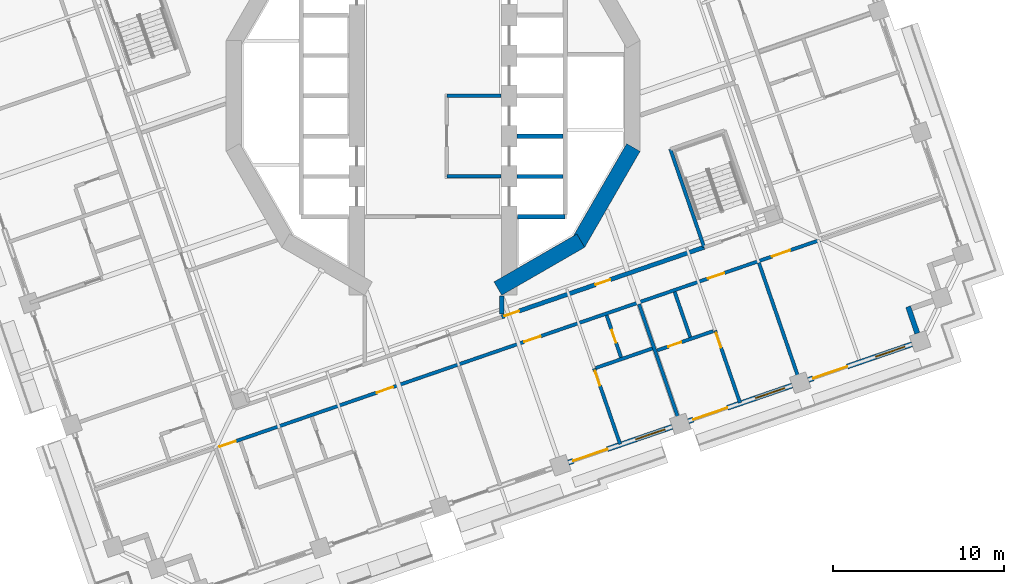
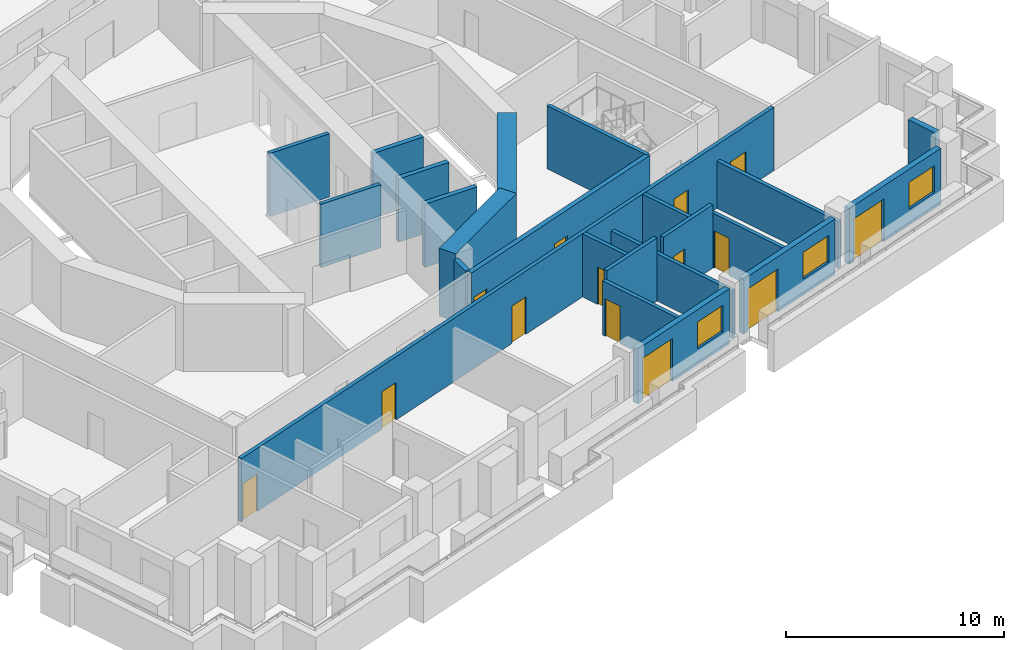
# One storey, part 6 of 18: 23 walls, 14 doors, 3 windows, 17 openings.
"""IFC4 building model written with IfcOpenShell, lengths in metres."""

from ifc_helpers import new_model, si_unit, direction, frame, frame_2d, origin, place, context, subcontext, project, spatial, rectangle, extrude, material, layer, layer_set, type_object, element, fill, save


model = new_model("IFC4")

# Units and contexts
model_context = context("Model", 3, precision=1e-05, world=origin(), true_north=direction((0.0, 1.0)))
body_context = subcontext(model_context, "Body", "Model", "MODEL_VIEW")
ifc_project = project(units=[si_unit("LENGTHUNIT", "METRE"), si_unit("AREAUNIT", "SQUARE_METRE"), si_unit("VOLUMEUNIT", "CUBIC_METRE"), si_unit("PLANEANGLEUNIT", "RADIAN"), si_unit("MASSUNIT", "GRAM", prefix="KILO")], contexts=[model_context])

# Site, building, storey
site_placement = place(None, origin())
site = spatial("IfcSite", under=ifc_project, at=site_placement, CompositionType="ELEMENT")
building_placement = place(site_placement, origin())
building = spatial("IfcBuilding", under=site, at=building_placement, Name="Cantera Rosa Tower", CompositionType="ELEMENT")
storey_placement = place(building_placement, frame((0.0, 0.0, 134.5)))
storey = spatial("IfcBuildingStorey", under=building, at=storey_placement, Name="L28", CompositionType="ELEMENT", Elevation=134.5)

# Wall, openings, doors
ifc_material_1 = material(Name="Gypsum board partition")
ifc_layer_1 = layer(ifc_material_1, 0.199951171875)
ifc_layer_set_1 = layer_set([ifc_layer_1], Name="CORRIDOR WALL 200 H3550")
wall_type_1 = type_object("IfcWallType", Name="CORRIDOR WALL 200 H3550", PredefinedType="PARTITIONING", material=ifc_layer_set_1)
wall_1_placement = place(storey_placement, frame((-12.58642578125, -20.515380859375, 0.0), z_axis=(0.0, 0.0, 1.0), x_axis=(0.945519939336, 0.325564193852, 0.0)))
wall_1 = element("IfcWall", 1, at=wall_1_placement, inside=storey, type_object=wall_type_1, Name="CORRIDOR WALL L28-029", PredefinedType="PARTITIONING", context=body_context, shape_type="SweptSolid", body=[
    extrude(rectangle(XDim=37.27978515625, YDim=0.199951171875, at=frame_2d((18.639892578125, 0.0))), origin(), (0.0, 0.0, 1.0), 3.550048828125),
])
opening_1_placement = place(wall_1_placement, frame((9.830078125, 0.0, 0.0)))
opening_1 = element("IfcOpeningElement", 2, at=opening_1_placement, cuts=wall_1, Name="Opening L28-039", PredefinedType="OPENING", context=body_context, shape_type="SweptSolid", body=[
    extrude(rectangle(XDim=1.0, YDim=2.10009765625, at=frame_2d((0.5, 1.050048828125))), frame((0.0, 0.10986328125, 0.0), z_axis=(0.0, -1.0, 0.0), x_axis=(1.0, 0.0, 0.0)), (0.0, 0.0, 1.0), 0.219970703125),
])
opening_2_placement = place(wall_1_placement, frame((18.929931640625, 0.0, 0.0)))
opening_2 = element("IfcOpeningElement", 3, at=opening_2_placement, cuts=wall_1, Name="Opening L28-042", PredefinedType="OPENING", context=body_context, shape_type="SweptSolid", body=[
    extrude(rectangle(XDim=1.0, YDim=2.10009765625, at=frame_2d((0.5, 1.050048828125))), frame((0.0, 0.10986328125, 0.0), z_axis=(0.0, -1.0, 0.0), x_axis=(1.0, 0.0, 0.0)), (0.0, 0.0, 1.0), 0.219970703125),
])
opening_3_placement = place(wall_1_placement, frame((30.280029296875, 0.0, 0.0)))
opening_3 = element("IfcOpeningElement", 4, at=opening_3_placement, cuts=wall_1, Name="Opening L28-045", PredefinedType="OPENING", context=body_context, shape_type="SweptSolid", body=[
    extrude(rectangle(XDim=1.0, YDim=2.10009765625, at=frame_2d((0.5, 1.050048828125))), frame((0.0, 0.10986328125, 0.0), z_axis=(0.0, -1.0, 0.0), x_axis=(1.0, 0.0, 0.0)), (0.0, 0.0, 1.0), 0.219970703125),
])
opening_4_placement = place(wall_1_placement, frame((0.1298828125, 0.0, 0.0)))
opening_4 = element("IfcOpeningElement", 5, at=opening_4_placement, cuts=wall_1, Name="Opening L28-048", PredefinedType="OPENING", context=body_context, shape_type="SweptSolid", body=[
    extrude(rectangle(XDim=1.0, YDim=2.10009765625, at=frame_2d((0.5, 1.050048828125))), frame((0.0, 0.10986328125, 0.0), z_axis=(0.0, -1.0, 0.0), x_axis=(1.0, 0.0, 0.0)), (0.0, 0.0, 1.0), 0.219970703125),
])
opening_5_placement = place(wall_1_placement, frame((34.22998046875, 0.0, 0.0)))
opening_5 = element("IfcOpeningElement", 6, at=opening_5_placement, cuts=wall_1, Name="Opening L28-051", PredefinedType="OPENING", context=body_context, shape_type="SweptSolid", body=[
    extrude(rectangle(XDim=1.10009765625, YDim=2.10009765625, at=frame_2d((0.550048828125, 1.050048828125))), frame((0.0, 0.10986328125, 0.0), z_axis=(0.0, -1.0, 0.0), x_axis=(1.0, 0.0, 0.0)), (0.0, 0.0, 1.0), 0.219970703125),
])
ifc_material_2 = material(Name="Timber door leaf", Category="wood")
door_type_1 = type_object("IfcDoorType", Name="ENTRANCE DOOR 1000x2100", OperationType="NOTDEFINED", PredefinedType="DOOR", material=ifc_material_2)
door_1_placement = place(opening_1_placement, origin())
door_1 = element("IfcDoor", 7, at=door_1_placement, inside=storey, type_object=door_type_1, Name="DOOR L28-039", OperationType="NOTDEFINED", OverallHeight=2.10009765625, OverallWidth=1.0, PredefinedType="DOOR", context=body_context, shape_type="SweptSolid", body=[
    extrude(rectangle(XDim=1.0, YDim=2.10009765625, at=frame_2d((0.5, 1.050048828125))), frame((0.0, 0.02490234375, 0.0), z_axis=(0.0, -1.0, 0.0), x_axis=(1.0, 0.0, 0.0)), (0.0, 0.0, 1.0), 0.050048828125),
])
fill(opening_1, door_1)
door_2_placement = place(opening_2_placement, origin())
door_2 = element("IfcDoor", 8, at=door_2_placement, inside=storey, type_object=door_type_1, Name="DOOR L28-042", OperationType="NOTDEFINED", OverallHeight=2.10009765625, OverallWidth=1.0, PredefinedType="DOOR", context=body_context, shape_type="SweptSolid", body=[
    extrude(rectangle(XDim=1.0, YDim=2.10009765625, at=frame_2d((0.5, 1.050048828125))), frame((0.0, 0.02490234375, 0.0), z_axis=(0.0, -1.0, 0.0), x_axis=(1.0, 0.0, 0.0)), (0.0, 0.0, 1.0), 0.050048828125),
])
fill(opening_2, door_2)
door_3_placement = place(opening_3_placement, origin())
door_3 = element("IfcDoor", 9, at=door_3_placement, inside=storey, type_object=door_type_1, Name="DOOR L28-045", OperationType="NOTDEFINED", OverallHeight=2.10009765625, OverallWidth=1.0, PredefinedType="DOOR", context=body_context, shape_type="SweptSolid", body=[
    extrude(rectangle(XDim=1.0, YDim=2.10009765625, at=frame_2d((0.5, 1.050048828125))), frame((0.0, 0.02490234375, 0.0), z_axis=(0.0, -1.0, 0.0), x_axis=(1.0, 0.0, 0.0)), (0.0, 0.0, 1.0), 0.050048828125),
])
fill(opening_3, door_3)
door_4_placement = place(opening_4_placement, origin())
door_4 = element("IfcDoor", 10, at=door_4_placement, inside=storey, type_object=door_type_1, Name="DOOR L28-048", OperationType="NOTDEFINED", OverallHeight=2.10009765625, OverallWidth=1.0, PredefinedType="DOOR", context=body_context, shape_type="SweptSolid", body=[
    extrude(rectangle(XDim=1.0, YDim=2.10009765625, at=frame_2d((0.5, 1.050048828125))), frame((0.0, 0.02490234375, 0.0), z_axis=(0.0, -1.0, 0.0), x_axis=(1.0, 0.0, 0.0)), (0.0, 0.0, 1.0), 0.050048828125),
])
fill(opening_4, door_4)
ifc_material_3 = material(Name="Timber door leaf", Category="wood")
door_type_2 = type_object("IfcDoorType", Name="ROOM DOOR 1100x2100", OperationType="NOTDEFINED", PredefinedType="DOOR", material=ifc_material_3)
door_5_placement = place(opening_5_placement, origin())
door_5 = element("IfcDoor", 11, at=door_5_placement, inside=storey, type_object=door_type_2, Name="DOOR L28-051", OperationType="NOTDEFINED", OverallHeight=2.10009765625, OverallWidth=1.10009765625, PredefinedType="DOOR", context=body_context, shape_type="SweptSolid", body=[
    extrude(rectangle(XDim=1.10009765625, YDim=2.10009765625, at=frame_2d((0.550048828125, 1.050048828125))), frame((0.0, 0.02490234375, 0.0), z_axis=(0.0, -1.0, 0.0), x_axis=(1.0, 0.0, 0.0)), (0.0, 0.0, 1.0), 0.050048828125),
])
fill(opening_5, door_5)

# Wall
ifc_material_4 = material(Name="Hollow clay masonry with cantera stone cladding", Category="masonry")
ifc_layer_2 = layer(ifc_material_4, 0.300048828125)
ifc_layer_set_2 = layer_set([ifc_layer_2], Name="EW-LOGGIA 300")
wall_type_2 = type_object("IfcWallType", Name="EW-LOGGIA 300", PredefinedType="SOLIDWALL", material=ifc_layer_set_2)
wall_2_placement = place(storey_placement, frame((28.250732421875, -13.857421875, 0.0), z_axis=(0.0, 0.0, 1.0), x_axis=(-0.325666906351, 0.945484566827, 0.0)))
element("IfcWall", 12, at=wall_2_placement, inside=storey, type_object=wall_type_2, Name="EN-L28-W29a", PredefinedType="SOLIDWALL", context=body_context, shape_type="SweptSolid", body=[
    extrude(rectangle(XDim=1.64990234375, YDim=0.300048828125, at=frame_2d((0.824951171875, 0.0))), origin(), (0.0, 0.0, 1.0), 3.5),
])

# Wall, openings, window, door
ifc_material_5 = material(Name="Hollow clay masonry with cantera stone cladding", Category="masonry")
ifc_layer_3 = layer(ifc_material_5, 0.300048828125)
ifc_layer_set_3 = layer_set([ifc_layer_3], Name="EW-LOGGIA 300 H3090")
wall_type_3 = type_object("IfcWallType", Name="EW-LOGGIA 300 H3090", PredefinedType="SOLIDWALL", material=ifc_layer_set_3)
wall_3_placement = place(storey_placement, frame((7.895751953125, -21.39501953125, 0.0), z_axis=(0.0, 0.0, 1.0), x_axis=(0.945524496524, 0.325550958337, 0.0)))
wall_3 = element("IfcWall", 13, at=wall_3_placement, inside=storey, type_object=wall_type_3, Name="EN-L28-W26", PredefinedType="SOLIDWALL", context=body_context, shape_type="SweptSolid", body=[
    extrude(rectangle(XDim=6.39990234375, YDim=0.300048828125, at=frame_2d((3.199951171875, 0.0))), origin(), (0.0, 0.0, 1.0), 3.090087890625),
])
opening_6_placement = place(wall_3_placement, frame((0.300048828125, 0.0, 0.0)))
opening_6 = element("IfcOpeningElement", 14, at=opening_6_placement, cuts=wall_3, Name="Opening L28-TD35", PredefinedType="OPENING", context=body_context, shape_type="SweptSolid", body=[
    extrude(rectangle(XDim=2.10009765625, YDim=2.39990234375, at=frame_2d((1.050048828125, 1.199951171875))), frame((0.0, 0.159912109375, 0.0), z_axis=(0.0, -1.0, 0.0), x_axis=(1.0, 0.0, 0.0)), (0.0, 0.0, 1.0), 0.320068359375),
])
opening_7_placement = place(wall_3_placement, frame((4.14990234375, 0.0, 0.89990234375)))
opening_7 = element("IfcOpeningElement", 15, at=opening_7_placement, cuts=wall_3, Name="Opening L28-W36", PredefinedType="OPENING", context=body_context, shape_type="SweptSolid", body=[
    extrude(rectangle(XDim=1.800048828125, YDim=1.5, at=frame_2d((0.89990234375, 0.75))), frame((0.0, 0.159912109375, 0.0), z_axis=(0.0, -1.0, 0.0), x_axis=(1.0, 0.0, 0.0)), (0.0, 0.0, 1.0), 0.320068359375),
])
ifc_material_6 = material(Name="Aluminium frame with clear glass", Category="aluminium")
window_type = type_object("IfcWindowType", Name="Hotel room window 1800x1500", PartitioningType="DOUBLE_PANEL_VERTICAL", PredefinedType="WINDOW", material=ifc_material_6)
window_1_placement = place(opening_7_placement, origin())
window_1 = element("IfcWindow", 16, at=window_1_placement, inside=storey, type_object=window_type, Name="WINDOW L28-W36", OverallHeight=1.5, OverallWidth=1.800048828125, PartitioningType="SINGLE_PANEL", PredefinedType="WINDOW", context=body_context, shape_type="SweptSolid", body=[
    extrude(rectangle(XDim=1.800048828125, YDim=1.5, at=frame_2d((0.89990234375, 0.75))), frame((0.0, 0.030029296875, 0.0), z_axis=(0.0, -1.0, 0.0), x_axis=(1.0, 0.0, 0.0)), (0.0, 0.0, 1.0), 0.06005859375),
])
fill(opening_7, window_1)
ifc_material_7 = material(Name="Aluminium frame with clear glass", Category="aluminium")
door_type_3 = type_object("IfcDoorType", Name="TD-H 2100x2400", OperationType="NOTDEFINED", PredefinedType="DOOR", material=ifc_material_7)
door_6_placement = place(opening_6_placement, origin())
door_6 = element("IfcDoor", 17, at=door_6_placement, inside=storey, type_object=door_type_3, Name="LOGGIA DOOR L28-TD35", OperationType="SLIDING_TO_LEFT", OverallHeight=2.39990234375, OverallWidth=2.10009765625, PredefinedType="DOOR", context=body_context, shape_type="SweptSolid", body=[
    extrude(rectangle(XDim=2.10009765625, YDim=2.39990234375, at=frame_2d((1.050048828125, 1.199951171875))), frame((0.0, 0.02490234375, 0.0), z_axis=(0.0, -1.0, 0.0), x_axis=(1.0, 0.0, 0.0)), (0.0, 0.0, 1.0), 0.050048828125),
])
fill(opening_6, door_6)

wall_4_placement = place(storey_placement, frame((14.892578125, -18.98583984375, 0.0), z_axis=(0.0, 0.0, 1.0), x_axis=(0.945512753621, 0.325585062219, 0.0)))
wall_4 = element("IfcWall", 18, at=wall_4_placement, inside=storey, type_object=wall_type_3, Name="EN-L28-W27", PredefinedType="SOLIDWALL", context=body_context, shape_type="SweptSolid", body=[
    extrude(rectangle(XDim=6.39990234375, YDim=0.300048828125, at=frame_2d((3.199951171875, 0.0))), origin(), (0.0, 0.0, 1.0), 3.090087890625),
])
opening_8_placement = place(wall_4_placement, frame((0.300048828125, 0.0, 0.0)))
opening_8 = element("IfcOpeningElement", 19, at=opening_8_placement, cuts=wall_4, Name="Opening L28-TD37", PredefinedType="OPENING", context=body_context, shape_type="SweptSolid", body=[
    extrude(rectangle(XDim=2.10009765625, YDim=2.39990234375, at=frame_2d((1.050048828125, 1.199951171875))), frame((0.0, 0.159912109375, 0.0), z_axis=(0.0, -1.0, 0.0), x_axis=(1.0, 0.0, 0.0)), (0.0, 0.0, 1.0), 0.320068359375),
])
opening_9_placement = place(wall_4_placement, frame((4.14990234375, 0.0, 0.89990234375)))
opening_9 = element("IfcOpeningElement", 20, at=opening_9_placement, cuts=wall_4, Name="Opening L28-W38", PredefinedType="OPENING", context=body_context, shape_type="SweptSolid", body=[
    extrude(rectangle(XDim=1.800048828125, YDim=1.5, at=frame_2d((0.89990234375, 0.75))), frame((0.0, 0.159912109375, 0.0), z_axis=(0.0, -1.0, 0.0), x_axis=(1.0, 0.0, 0.0)), (0.0, 0.0, 1.0), 0.320068359375),
])
window_2_placement = place(opening_9_placement, origin())
window_2 = element("IfcWindow", 21, at=window_2_placement, inside=storey, type_object=window_type, Name="WINDOW L28-W38", OverallHeight=1.5, OverallWidth=1.800048828125, PartitioningType="SINGLE_PANEL", PredefinedType="WINDOW", context=body_context, shape_type="SweptSolid", body=[
    extrude(rectangle(XDim=1.800048828125, YDim=1.5, at=frame_2d((0.89990234375, 0.75))), frame((0.0, 0.030029296875, 0.0), z_axis=(0.0, -1.0, 0.0), x_axis=(1.0, 0.0, 0.0)), (0.0, 0.0, 1.0), 0.06005859375),
])
fill(opening_9, window_2)
door_7_placement = place(opening_8_placement, origin())
door_7 = element("IfcDoor", 22, at=door_7_placement, inside=storey, type_object=door_type_3, Name="LOGGIA DOOR L28-TD37", OperationType="SLIDING_TO_LEFT", OverallHeight=2.39990234375, OverallWidth=2.10009765625, PredefinedType="DOOR", context=body_context, shape_type="SweptSolid", body=[
    extrude(rectangle(XDim=2.10009765625, YDim=2.39990234375, at=frame_2d((1.050048828125, 1.199951171875))), frame((0.0, 0.02490234375, 0.0), z_axis=(0.0, -1.0, 0.0), x_axis=(1.0, 0.0, 0.0)), (0.0, 0.0, 1.0), 0.050048828125),
])
fill(opening_8, door_7)

ifc_material_8 = material(Name="Hollow clay masonry with cantera stone cladding", Category="masonry")
ifc_layer_4 = layer(ifc_material_8, 0.300048828125)
ifc_layer_set_4 = layer_set([ifc_layer_4], Name="EW-LOGGIA 300 H3140")
wall_type_4 = type_object("IfcWallType", Name="EW-LOGGIA 300 H3140", PredefinedType="SOLIDWALL", material=ifc_layer_set_4)
wall_5_placement = place(storey_placement, frame((21.889404296875, -16.57666015625, 0.0), z_axis=(0.0, 0.0, 1.0), x_axis=(0.945512753621, 0.325585062219, 0.0)))
wall_5 = element("IfcWall", 23, at=wall_5_placement, inside=storey, type_object=wall_type_4, Name="EN-L28-W28", PredefinedType="SOLIDWALL", context=body_context, shape_type="SweptSolid", body=[
    extrude(rectangle(XDim=6.39990234375, YDim=0.300048828125, at=frame_2d((3.199951171875, 0.0))), origin(), (0.0, 0.0, 1.0), 3.139892578125),
])
opening_10_placement = place(wall_5_placement, frame((0.300048828125, 0.0, 0.0)))
opening_10 = element("IfcOpeningElement", 24, at=opening_10_placement, cuts=wall_5, Name="Opening L28-TD39", PredefinedType="OPENING", context=body_context, shape_type="SweptSolid", body=[
    extrude(rectangle(XDim=2.10009765625, YDim=2.39990234375, at=frame_2d((1.050048828125, 1.199951171875))), frame((0.0, 0.159912109375, 0.0), z_axis=(0.0, -1.0, 0.0), x_axis=(1.0, 0.0, 0.0)), (0.0, 0.0, 1.0), 0.320068359375),
])
opening_11_placement = place(wall_5_placement, frame((4.14990234375, 0.0, 0.89990234375)))
opening_11 = element("IfcOpeningElement", 25, at=opening_11_placement, cuts=wall_5, Name="Opening L28-W40", PredefinedType="OPENING", context=body_context, shape_type="SweptSolid", body=[
    extrude(rectangle(XDim=1.800048828125, YDim=1.5, at=frame_2d((0.89990234375, 0.75))), frame((0.0, 0.159912109375, 0.0), z_axis=(0.0, -1.0, 0.0), x_axis=(1.0, 0.0, 0.0)), (0.0, 0.0, 1.0), 0.320068359375),
])
window_3_placement = place(opening_11_placement, origin())
window_3 = element("IfcWindow", 26, at=window_3_placement, inside=storey, type_object=window_type, Name="WINDOW L28-W40", OverallHeight=1.5, OverallWidth=1.800048828125, PartitioningType="SINGLE_PANEL", PredefinedType="WINDOW", context=body_context, shape_type="SweptSolid", body=[
    extrude(rectangle(XDim=1.800048828125, YDim=1.5, at=frame_2d((0.89990234375, 0.75))), frame((0.0, 0.030029296875, 0.0), z_axis=(0.0, -1.0, 0.0), x_axis=(1.0, 0.0, 0.0)), (0.0, 0.0, 1.0), 0.06005859375),
])
fill(opening_11, window_3)
door_8_placement = place(opening_10_placement, origin())
door_8 = element("IfcDoor", 27, at=door_8_placement, inside=storey, type_object=door_type_3, Name="LOGGIA DOOR L28-TD39", OperationType="SLIDING_TO_LEFT", OverallHeight=2.39990234375, OverallWidth=2.10009765625, PredefinedType="DOOR", context=body_context, shape_type="SweptSolid", body=[
    extrude(rectangle(XDim=2.10009765625, YDim=2.39990234375, at=frame_2d((1.050048828125, 1.199951171875))), frame((0.0, 0.02490234375, 0.0), z_axis=(0.0, -1.0, 0.0), x_axis=(1.0, 0.0, 0.0)), (0.0, 0.0, 1.0), 0.050048828125),
])
fill(opening_10, door_8)

# Wall, opening, door
ifc_material_9 = material(Name="Gypsum board partition")
ifc_layer_5 = layer(ifc_material_9, 0.199951171875)
ifc_layer_set_5 = layer_set([ifc_layer_5], Name="PARTITION 200 H3050")
wall_type_5 = type_object("IfcWallType", Name="PARTITION 200 H3050", PredefinedType="PARTITIONING", material=ifc_layer_set_5)
wall_6_placement = place(storey_placement, frame((10.91162109375, -20.324951171875, 0.0), z_axis=(0.0, 0.0, 1.0), x_axis=(-0.325574999189, 0.945516218742, 0.0)))
wall_6 = element("IfcWall", 28, at=wall_6_placement, inside=storey, type_object=wall_type_5, Name="PARTITION L28-081", PredefinedType="PARTITIONING", context=body_context, shape_type="SweptSolid", body=[
    extrude(rectangle(XDim=4.670166015625, YDim=0.199951171875, at=frame_2d((2.3349609375, 0.0))), origin(), (0.0, 0.0, 1.0), 3.050048828125),
])
opening_12_placement = place(wall_6_placement, frame((3.6201171875, 0.0, 0.0)))
opening_12 = element("IfcOpeningElement", 29, at=opening_12_placement, cuts=wall_6, Name="Opening L28-044", PredefinedType="OPENING", context=body_context, shape_type="SweptSolid", body=[
    extrude(rectangle(XDim=0.89990234375, YDim=2.10009765625, at=frame_2d((0.449951171875, 1.050048828125))), frame((0.0, 0.10986328125, 0.0), z_axis=(0.0, -1.0, 0.0), x_axis=(1.0, 0.0, 0.0)), (0.0, 0.0, 1.0), 0.219970703125),
])
ifc_material_10 = material(Name="Timber door leaf", Category="wood")
door_type_4 = type_object("IfcDoorType", Name="ROOM DOOR 900x2100", OperationType="NOTDEFINED", PredefinedType="DOOR", material=ifc_material_10)
door_9_placement = place(opening_12_placement, origin())
door_9 = element("IfcDoor", 30, at=door_9_placement, inside=storey, type_object=door_type_4, Name="DOOR L28-044", OperationType="NOTDEFINED", OverallHeight=2.10009765625, OverallWidth=0.89990234375, PredefinedType="DOOR", context=body_context, shape_type="SweptSolid", body=[
    extrude(rectangle(XDim=0.89990234375, YDim=2.10009765625, at=frame_2d((0.449951171875, 1.050048828125))), frame((0.0, 0.02490234375, 0.0), z_axis=(0.0, -1.0, 0.0), x_axis=(1.0, 0.0, 0.0)), (0.0, 0.0, 1.0), 0.050048828125),
])
fill(opening_12, door_9)

wall_7_placement = place(storey_placement, frame((16.453125, -13.689208984375, 0.0), z_axis=(0.0, 0.0, 1.0), x_axis=(0.325568171973, -0.945518569568, 0.0)))
wall_7 = element("IfcWall", 31, at=wall_7_placement, inside=storey, type_object=wall_type_5, Name="PARTITION L28-097", PredefinedType="PARTITIONING", context=body_context, shape_type="SweptSolid", body=[
    extrude(rectangle(XDim=4.47021484375, YDim=0.199951171875, at=frame_2d((2.235107421875, 0.0))), origin(), (0.0, 0.0, 1.0), 3.050048828125),
])
opening_13_placement = place(wall_7_placement, frame((0.14990234375, 0.0, 0.0)))
opening_13 = element("IfcOpeningElement", 32, at=opening_13_placement, cuts=wall_7, Name="Opening L28-046", PredefinedType="OPENING", context=body_context, shape_type="SweptSolid", body=[
    extrude(rectangle(XDim=0.89990234375, YDim=2.10009765625, at=frame_2d((0.449951171875, 1.050048828125))), frame((0.0, 0.10986328125, 0.0), z_axis=(0.0, -1.0, 0.0), x_axis=(1.0, 0.0, 0.0)), (0.0, 0.0, 1.0), 0.219970703125),
])
door_10_placement = place(opening_13_placement, origin())
door_10 = element("IfcDoor", 33, at=door_10_placement, inside=storey, type_object=door_type_4, Name="DOOR L28-046", OperationType="NOTDEFINED", OverallHeight=2.10009765625, OverallWidth=0.89990234375, PredefinedType="DOOR", context=body_context, shape_type="SweptSolid", body=[
    extrude(rectangle(XDim=0.89990234375, YDim=2.10009765625, at=frame_2d((0.449951171875, 1.050048828125))), frame((0.0, 0.02490234375, 0.0), z_axis=(0.0, -1.0, 0.0), x_axis=(1.0, 0.0, 0.0)), (0.0, 0.0, 1.0), 0.050048828125),
])
fill(opening_13, door_10)

# Wall
ifc_material_11 = material(Name="Gypsum board partition")
ifc_layer_6 = layer(ifc_material_11, 0.199951171875)
ifc_layer_set_6 = layer_set([ifc_layer_6], Name="PARTITION 200 H3550")
wall_type_6 = type_object("IfcWallType", Name="PARTITION 200 H3550", PredefinedType="PARTITIONING", material=ifc_layer_set_6)
wall_8_placement = place(storey_placement, frame((9.48583984375, -15.876708984375, 0.0), z_axis=(0.0, 0.0, 1.0), x_axis=(0.945526322632, 0.325545654572, 0.0)))
element("IfcWall", 34, at=wall_8_placement, inside=storey, type_object=wall_type_6, Name="PARTITION L28-078", PredefinedType="PARTITIONING", context=body_context, shape_type="SweptSolid", body=[
    extrude(rectangle(XDim=3.5, YDim=0.199951171875, at=frame_2d((1.75, 0.0))), origin(), (0.0, 0.0, 1.0), 3.550048828125),
])

# Wall, opening, door
wall_9_placement = place(storey_placement, frame((10.966064453125, -15.26123046875, 0.0), z_axis=(0.0, 0.0, 1.0), x_axis=(-0.325649185186, 0.945490670598, 0.0)))
wall_9 = element("IfcWall", 35, at=wall_9_placement, inside=storey, type_object=wall_type_6, Name="PARTITION L28-082", PredefinedType="PARTITIONING", context=body_context, shape_type="SweptSolid", body=[
    extrude(rectangle(XDim=2.599853515625, YDim=0.199951171875, at=frame_2d((1.2998046875, 0.0))), origin(), (0.0, 0.0, 1.0), 3.550048828125),
])
opening_14_placement = place(wall_9_placement, frame((0.89990234375, 0.0, 0.0)))
opening_14 = element("IfcOpeningElement", 36, at=opening_14_placement, cuts=wall_9, Name="Opening L28-043", PredefinedType="OPENING", context=body_context, shape_type="SweptSolid", body=[
    extrude(rectangle(XDim=0.800048828125, YDim=2.10009765625, at=frame_2d((0.39990234375, 1.050048828125))), frame((0.0, 0.10986328125, 0.0), z_axis=(0.0, -1.0, 0.0), x_axis=(1.0, 0.0, 0.0)), (0.0, 0.0, 1.0), 0.219970703125),
])
ifc_material_12 = material(Name="Timber door leaf", Category="wood")
door_type_5 = type_object("IfcDoorType", Name="BATHROOM DOOR 800x2100", OperationType="NOTDEFINED", PredefinedType="DOOR", material=ifc_material_12)
door_11_placement = place(opening_14_placement, origin())
door_11 = element("IfcDoor", 37, at=door_11_placement, inside=storey, type_object=door_type_5, Name="DOOR L28-043", OperationType="NOTDEFINED", OverallHeight=2.10009765625, OverallWidth=0.800048828125, PredefinedType="DOOR", context=body_context, shape_type="SweptSolid", body=[
    extrude(rectangle(XDim=0.800048828125, YDim=2.10009765625, at=frame_2d((0.39990234375, 1.050048828125))), frame((0.0, 0.02490234375, 0.0), z_axis=(0.0, -1.0, 0.0), x_axis=(1.0, 0.0, 0.0)), (0.0, 0.0, 1.0), 0.050048828125),
])
fill(opening_14, door_11)

wall_10_placement = place(storey_placement, frame((13.068115234375, -14.854736328125, 0.0), z_axis=(0.0, 0.0, 1.0), x_axis=(0.945518358783, 0.325568784136, 0.0)))
wall_10 = element("IfcWall", 38, at=wall_10_placement, inside=storey, type_object=wall_type_6, Name="PARTITION L28-092", PredefinedType="PARTITIONING", context=body_context, shape_type="SweptSolid", body=[
    extrude(rectangle(XDim=3.4599609375, YDim=0.199951171875, at=frame_2d((1.72998046875, 0.0))), origin(), (0.0, 0.0, 1.0), 3.550048828125),
])
opening_15_placement = place(wall_10_placement, frame((0.68994140625, 0.0, 0.0)))
opening_15 = element("IfcOpeningElement", 39, at=opening_15_placement, cuts=wall_10, Name="Opening L28-047", PredefinedType="OPENING", context=body_context, shape_type="SweptSolid", body=[
    extrude(rectangle(XDim=0.800048828125, YDim=2.10009765625, at=frame_2d((0.39990234375, 1.050048828125))), frame((0.0, 0.10986328125, 0.0), z_axis=(0.0, -1.0, 0.0), x_axis=(1.0, 0.0, 0.0)), (0.0, 0.0, 1.0), 0.219970703125),
])
door_12_placement = place(opening_15_placement, origin())
door_12 = element("IfcDoor", 40, at=door_12_placement, inside=storey, type_object=door_type_5, Name="DOOR L28-047", OperationType="NOTDEFINED", OverallHeight=2.10009765625, OverallWidth=0.800048828125, PredefinedType="DOOR", context=body_context, shape_type="SweptSolid", body=[
    extrude(rectangle(XDim=0.800048828125, YDim=2.10009765625, at=frame_2d((0.39990234375, 1.050048828125))), frame((0.0, 0.02490234375, 0.0), z_axis=(0.0, -1.0, 0.0), x_axis=(1.0, 0.0, 0.0)), (0.0, 0.0, 1.0), 0.050048828125),
])
fill(opening_15, door_12)

# Walls
wall_11_placement = place(storey_placement, frame((14.0908203125, -11.435546875, 0.0), z_axis=(0.0, 0.0, 1.0), x_axis=(0.325498881735, -0.945542425272, 0.0)))
element("IfcWall", 41, at=wall_11_placement, inside=storey, type_object=wall_type_6, Name="PARTITION L28-094", PredefinedType="PARTITIONING", context=body_context, shape_type="SweptSolid", body=[
    extrude(rectangle(XDim=2.800048828125, YDim=0.199951171875, at=frame_2d((1.39990234375, 0.0))), origin(), (0.0, 0.0, 1.0), 3.550048828125),
])
ifc_material_13 = material(Name="Gypsum board partition")
ifc_layer_7 = layer(ifc_material_13, 0.199951171875)
ifc_layer_set_7 = layer_set([ifc_layer_7], Name="PARTY WALL 200 H2650")
wall_type_7 = type_object("IfcWallType", Name="PARTY WALL 200 H2650", PredefinedType="PARTITIONING", material=ifc_layer_set_7)
wall_12_placement = place(storey_placement, frame((12.010498046875, -12.15185546875, 0.0), z_axis=(0.0, 0.0, 1.0), x_axis=(0.325563917555, -0.945520034471, 0.0)))
element("IfcWall", 42, at=wall_12_placement, inside=storey, type_object=wall_type_7, Name="PARTY WALL L28-086", PredefinedType="PARTITIONING", context=body_context, shape_type="SweptSolid", body=[
    extrude(rectangle(XDim=7.3701171875, YDim=0.199951171875, at=frame_2d((3.68505859375, 0.0))), origin(), (0.0, 0.0, 1.0), 2.64990234375),
])
wall_13_placement = place(storey_placement, frame((19.00732421875, -9.74267578125, 0.0), z_axis=(0.0, 0.0, 1.0), x_axis=(0.325603730276, -0.945506325114, 0.0)))
element("IfcWall", 43, at=wall_13_placement, inside=storey, type_object=wall_type_7, Name="PARTY WALL L28-103", PredefinedType="PARTITIONING", context=body_context, shape_type="SweptSolid", body=[
    extrude(rectangle(XDim=7.369873046875, YDim=0.199951171875, at=frame_2d((3.68505859375, 0.0))), origin(), (0.0, 0.0, 1.0), 2.64990234375),
])
ifc_material_14 = material(Name="Concrete C70/85", Category="concrete")
ifc_layer_8 = layer(ifc_material_14, 0.89990234375)
ifc_layer_set_8 = layer_set([ifc_layer_8], Name="RC CORE WALL 900 C70/85")
wall_type_8 = type_object("IfcWallType", Name="RC CORE WALL 900 C70/85", PredefinedType="SHEAR", material=ifc_layer_set_8)
wall_14_placement = place(storey_placement, frame((11.684326171875, -3.01025390625, 0.0), z_axis=(0.0, 0.0, 1.0), x_axis=(-0.499990282633, -0.866031014036, 0.0)))
element("IfcWall", 44, at=wall_14_placement, inside=storey, type_object=wall_type_8, Name="CW-E4 L28", PredefinedType="SHEAR", context=body_context, shape_type="SweptSolid", body=[
    extrude(rectangle(XDim=6.470458984375, YDim=0.89990234375, at=frame_2d((3.2353515625, 0.0))), origin(), (0.0, 0.0, 1.0), 3.800048828125),
])
wall_15_placement = place(storey_placement, frame((8.61376953125, -8.44921875, 0.0), z_axis=(0.0, 0.0, 1.0), x_axis=(-0.866026961591, -0.49999730179, 0.0)))
element("IfcWall", 45, at=wall_15_placement, inside=storey, type_object=wall_type_8, Name="CW-E5 L28", PredefinedType="SHEAR", context=body_context, shape_type="SweptSolid", body=[
    extrude(rectangle(XDim=5.58740234375, YDim=0.89990234375, at=frame_2d((2.793701171875, 0.0))), origin(), (0.0, 0.0, 1.0), 3.800048828125),
])
ifc_material_15 = material(Name="Masonry blockwork", Category="masonry")
ifc_layer_9 = layer(ifc_material_15, 0.25)
ifc_layer_set_9 = layer_set([ifc_layer_9], Name="SHAFT WALL 250 H3550")
wall_type_9 = type_object("IfcWallType", Name="SHAFT WALL 250 H3550", PredefinedType="SOLIDWALL", material=ifc_layer_set_9)
wall_16_placement = place(storey_placement, frame((4.0, -12.740478515625, 0.0), z_axis=(0.0, 0.0, 1.0), x_axis=(0.0, 1.0, 0.0)))
element("IfcWall", 46, at=wall_16_placement, inside=storey, type_object=wall_type_9, Name="SHAFT WALL L28-058", PredefinedType="SOLIDWALL", context=body_context, shape_type="SweptSolid", body=[
    extrude(rectangle(XDim=1.0732421875, YDim=0.25, at=frame_2d((0.53662109375, 0.0))), origin(), (0.0, 0.0, 1.0), 3.550048828125),
])

# Wall, openings, doors
wall_17_placement = place(storey_placement, frame((4.0, -12.900634765625, 0.0), z_axis=(0.0, 0.0, 1.0), x_axis=(0.945515789626, 0.325576245398, 0.0)))
wall_17 = element("IfcWall", 47, at=wall_17_placement, inside=storey, type_object=wall_type_9, Name="SHAFT WALL L28-059", PredefinedType="SOLIDWALL", context=body_context, shape_type="SweptSolid", body=[
    extrude(rectangle(XDim=12.491455078125, YDim=0.25, at=frame_2d((6.24560546875, 0.0))), origin(), (0.0, 0.0, 1.0), 3.550048828125),
])
opening_16_placement = place(wall_17_placement, frame((0.174560546875, 0.0, 0.0)))
opening_16 = element("IfcOpeningElement", 48, at=opening_16_placement, cuts=wall_17, Name="Opening L28-008", PredefinedType="OPENING", context=body_context, shape_type="SweptSolid", body=[
    extrude(rectangle(XDim=0.89990234375, YDim=2.10009765625, at=frame_2d((0.449951171875, 1.050048828125))), frame((0.0, 0.135009765625, 0.0), z_axis=(0.0, -1.0, 0.0), x_axis=(1.0, 0.0, 0.0)), (0.0, 0.0, 1.0), 0.27001953125),
])
opening_17_placement = place(wall_17_placement, frame((5.795654296875, 0.0, 0.0)))
opening_17 = element("IfcOpeningElement", 49, at=opening_17_placement, cuts=wall_17, Name="Opening L28-053", PredefinedType="OPENING", context=body_context, shape_type="SweptSolid", body=[
    extrude(rectangle(XDim=0.89990234375, YDim=2.10009765625, at=frame_2d((0.449951171875, 1.050048828125))), frame((0.0, 0.135009765625, 0.0), z_axis=(0.0, -1.0, 0.0), x_axis=(1.0, 0.0, 0.0)), (0.0, 0.0, 1.0), 0.27001953125),
])
ifc_material_16 = material(Name="Timber door leaf", Category="wood")
door_type_6 = type_object("IfcDoorType", Name="SERVICE DOOR 900x2100", OperationType="NOTDEFINED", PredefinedType="DOOR", material=ifc_material_16)
door_13_placement = place(opening_16_placement, origin())
door_13 = element("IfcDoor", 50, at=door_13_placement, inside=storey, type_object=door_type_6, Name="RISER DOOR L28-008", OperationType="NOTDEFINED", OverallHeight=2.10009765625, OverallWidth=0.89990234375, PredefinedType="DOOR", context=body_context, shape_type="SweptSolid", body=[
    extrude(rectangle(XDim=0.89990234375, YDim=2.10009765625, at=frame_2d((0.449951171875, 1.050048828125))), frame((0.0, 0.02490234375, 0.0), z_axis=(0.0, -1.0, 0.0), x_axis=(1.0, 0.0, 0.0)), (0.0, 0.0, 1.0), 0.050048828125),
])
fill(opening_16, door_13)
door_14_placement = place(opening_17_placement, origin())
door_14 = element("IfcDoor", 51, at=door_14_placement, inside=storey, type_object=door_type_6, Name="RISER DOOR L28-053", OperationType="NOTDEFINED", OverallHeight=2.10009765625, OverallWidth=0.89990234375, PredefinedType="DOOR", context=body_context, shape_type="SweptSolid", body=[
    extrude(rectangle(XDim=0.89990234375, YDim=2.10009765625, at=frame_2d((0.449951171875, 1.050048828125))), frame((0.0, 0.02490234375, 0.0), z_axis=(0.0, -1.0, 0.0), x_axis=(1.0, 0.0, 0.0)), (0.0, 0.0, 1.0), 0.050048828125),
])
fill(opening_17, door_14)

# Walls
wall_18_placement = place(storey_placement, frame((4.89990234375, -4.699951171875, 0.0), z_axis=(0.0, 0.0, 1.0), x_axis=(1.0, 0.0, 0.0)))
element("IfcWall", 52, at=wall_18_placement, inside=storey, type_object=wall_type_9, Name="SHAFT WALL L28-064", PredefinedType="SOLIDWALL", context=body_context, shape_type="SweptSolid", body=[
    extrude(rectangle(XDim=2.675048828125, YDim=0.25, at=frame_2d((1.33740234375, 0.0))), origin(), (0.0, 0.0, 1.0), 3.550048828125),
])
wall_19_placement = place(storey_placement, frame((4.929931640625, -7.050048828125, 0.0), z_axis=(0.0, 0.0, 1.0), x_axis=(1.0, 0.0, 0.0)))
element("IfcWall", 53, at=wall_19_placement, inside=storey, type_object=wall_type_9, Name="SHAFT WALL L28-066", PredefinedType="SOLIDWALL", context=body_context, shape_type="SweptSolid", body=[
    extrude(rectangle(XDim=2.77001953125, YDim=0.25, at=frame_2d((1.385009765625, 0.0))), origin(), (0.0, 0.0, 1.0), 3.550048828125),
])
wall_20_placement = place(storey_placement, frame((7.574951171875, -2.35009765625, 0.0), z_axis=(0.0, 0.0, 1.0), x_axis=(-1.0, 0.0, 0.0)))
element("IfcWall", 54, at=wall_20_placement, inside=storey, type_object=wall_type_9, Name="SHAFT WALL L28-072", PredefinedType="SOLIDWALL", context=body_context, shape_type="SweptSolid", body=[
    extrude(rectangle(XDim=2.675048828125, YDim=0.25, at=frame_2d((1.33740234375, 0.0))), origin(), (0.0, 0.0, 1.0), 3.550048828125),
])
ifc_material_17 = material(Name="Concrete C50/60", Category="concrete")
ifc_layer_10 = layer(ifc_material_17, 0.199951171875)
ifc_layer_set_10 = layer_set([ifc_layer_10], Name="STAIR WALL 200 H3550")
wall_type_10 = type_object("IfcWallType", Name="STAIR WALL 200 H3550", PredefinedType="SOLIDWALL", material=ifc_layer_set_10)
for number, where, z_axis, x_axis, name in (
    (55, (0.800048828125, 0.0, 0.0), (0.0, 0.0, 1.0), (1.0, 0.0, 0.0), "STAIR WALL L28-053"),
    (56, (3.969970703125, -4.699951171875, 0.0), (0.0, 0.0, 1.0), (-1.0, 0.0, 0.0), "STAIR WALL L28-057"),
):
    element("IfcWall", number, at=place(storey_placement, frame(where, z_axis=z_axis, x_axis=x_axis)), inside=storey, type_object=wall_type_10, Name=name, PredefinedType="SOLIDWALL", context=body_context, shape_type="SweptSolid", body=[
        extrude(rectangle(XDim=3.169921875, YDim=0.199951171875, at=frame_2d((1.5849609375, 0.0))), origin(), (0.0, 0.0, 1.0), 3.550048828125),
    ])
wall_21_placement = place(storey_placement, frame((13.839599609375, -3.10888671875, 0.0), z_axis=(0.0, 0.0, 1.0), x_axis=(0.325563172411, -0.945520291041, 0.0)))
element("IfcWall", 57, at=wall_21_placement, inside=storey, type_object=wall_type_10, Name="STAIR WALL L28-093", PredefinedType="SOLIDWALL", context=body_context, shape_type="SweptSolid", body=[
    extrude(rectangle(XDim=6.0546875, YDim=0.199951171875, at=frame_2d((3.02734375, 0.0))), origin(), (0.0, 0.0, 1.0), 3.550048828125),
])

save(model, "model.ifc")
